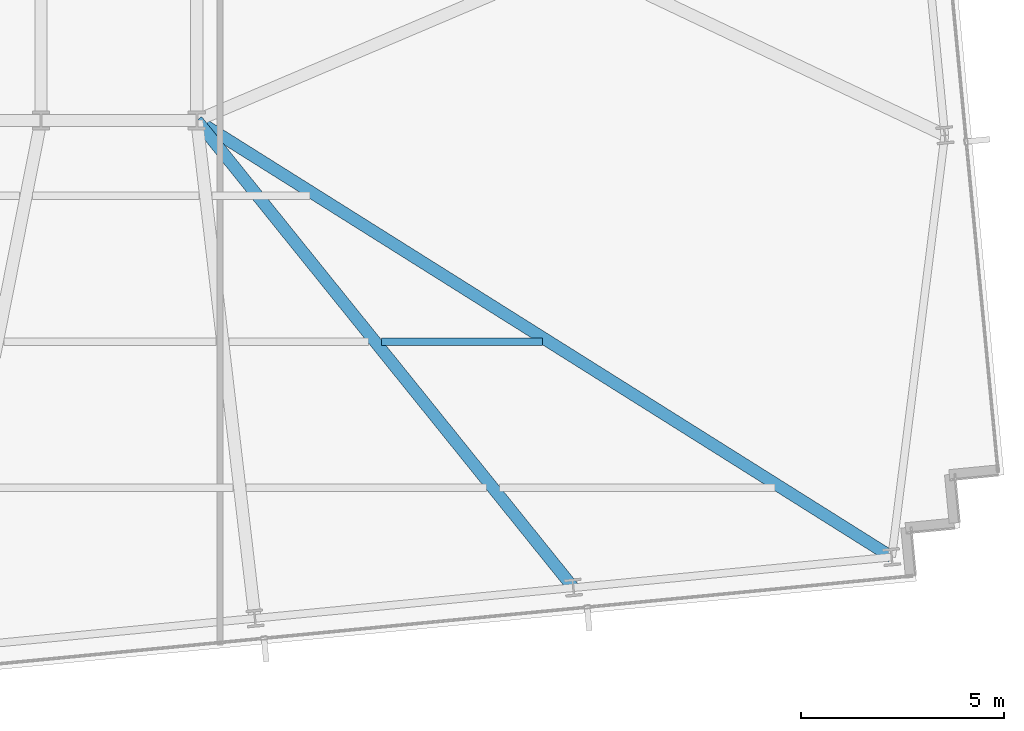
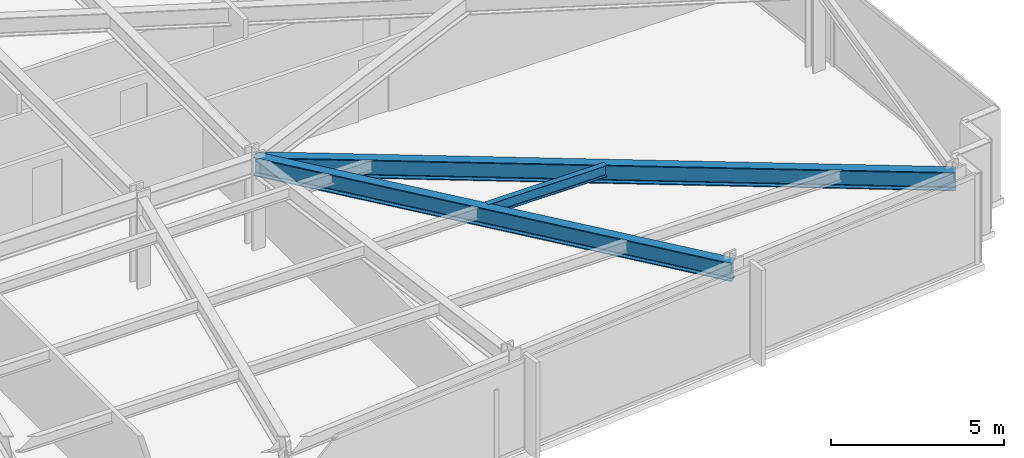
# One storey, part 13 of 32: 3 beams.
"""IFC4 building model written with IfcOpenShell, lengths in metres."""

import ifcopenshell
import ifcopenshell.guid

model = None  # the IFC model being written
_history = None  # IfcOwnerHistory: only IFC2X3 demands one
_inside = {}  # id of a spatial element -> (the spatial element, [elements in it])
_under = {}  # id of a project, library or spatial element -> (it, [spatial elements below it])
_declared = {}  # id of a project -> (the project, [libraries it declares])
_typed = {}  # id of a type object -> (the type object, [elements of that type])
_made_of = {}  # id of a material, layer set ... -> (it, [elements and type objects made of it])


def new_model(schema):
    """Start an empty IFC model of exactly this schema.

    Asked for "IFC4X3", IfcOpenShell would pick the latest addendum, in which some entities
    have other attributes; the version numbers below select the first issue.
    IFC2X3 requires an IfcOwnerHistory on every rooted entity: one is made here for all.
    """
    global model, _history
    if schema == "IFC4X3":
        model = ifcopenshell.file(schema_version=(4, 3, 0, 0))
    else:
        model = ifcopenshell.file(schema=schema)
    _inside.clear()
    _under.clear()
    _declared.clear()
    _typed.clear()
    _made_of.clear()
    _history = None
    if model.schema == "IFC2X3":
        org = make("IfcOrganization", Name="unknown")
        user = make(
            "IfcPersonAndOrganization",
            ThePerson=make("IfcPerson", FamilyName="unknown"),
            TheOrganization=org,
        )
        app = make(
            "IfcApplication",
            ApplicationDeveloper=org,
            Version="unknown",
            ApplicationFullName="unknown",
            ApplicationIdentifier="unknown",
        )
        _history = make(
            "IfcOwnerHistory",
            OwningUser=user,
            OwningApplication=app,
            ChangeAction="ADDED",
            CreationDate=0,
        )
    return model


def make(cls, **values):
    """One entity of the class cls with the attributes given. An attribute that is None is left unset."""
    return model.create_entity(
        cls, **{name: value for name, value in values.items() if value is not None}
    )


def rooted(cls, **values):
    """An entity with a GlobalId (a new one), such as an element, a storey or a relation."""
    return make(cls, GlobalId=ifcopenshell.guid.new(), OwnerHistory=_history, **values)


def si_unit(unit_type, name, prefix=None):
    """IfcSIUnit, for example si_unit("LENGTHUNIT", "METRE", prefix="MILLI")."""
    return make("IfcSIUnit", UnitType=unit_type, Prefix=prefix, Name=name)


def assignment(units):
    """IfcUnitAssignment: the units of a project."""
    return None if units is None else make("IfcUnitAssignment", Units=units)


def point(xyz):
    """IfcCartesianPoint."""
    return None if xyz is None else make("IfcCartesianPoint", Coordinates=xyz)


def direction(xyz):
    """IfcDirection."""
    return None if xyz is None else make("IfcDirection", DirectionRatios=xyz)


def frame(location, z_axis=None, x_axis=None):
    """IfcAxis2Placement3D, a coordinate frame: its origin and axes. An axis left out is left unset."""
    return make(
        "IfcAxis2Placement3D",
        Location=point(location),
        Axis=direction(z_axis),
        RefDirection=direction(x_axis),
    )


def frame_2d(location, x_axis=None):
    """IfcAxis2Placement2D, a coordinate frame in the plane: its origin and x axis."""
    return make(
        "IfcAxis2Placement2D", Location=point(location), RefDirection=direction(x_axis)
    )


def origin():
    """The frame at (0, 0, 0) with its axes left unset."""
    return frame((0.0, 0.0, 0.0))


def origin_2d():
    """The frame at (0, 0) in the plane with its x axis left unset."""
    return frame_2d((0.0, 0.0))


def place(relative_to, where):
    """IfcLocalPlacement: puts the frame where relative to a parent placement (None: the world)."""
    return make(
        "IfcLocalPlacement", PlacementRelTo=relative_to, RelativePlacement=where
    )


def context(
    kind, dimensions, precision=None, world=None, true_north=None, identifier=None
):
    """IfcGeometricRepresentationContext, for example the 3D "Model" context."""
    return make(
        "IfcGeometricRepresentationContext",
        ContextIdentifier=identifier,
        ContextType=kind,
        CoordinateSpaceDimension=dimensions,
        Precision=precision,
        WorldCoordinateSystem=world,
        TrueNorth=true_north,
    )


def subcontext(parent, identifier, kind, view, scale=None):
    """IfcGeometricRepresentationSubContext, for example "Body" below "Model"."""
    return make(
        "IfcGeometricRepresentationSubContext",
        ContextIdentifier=identifier,
        ContextType=kind,
        ParentContext=parent,
        TargetScale=scale,
        TargetView=view,
    )


def project(units=None, contexts=None):
    """IfcProject with its units and contexts."""
    return rooted(
        "IfcProject",
        Name="project",
        RepresentationContexts=contexts,
        UnitsInContext=assignment(units),
    )


def spatial(cls, under=None, at=None, **own):
    """A site, building, storey or space (cls), placed at a placement, below another one or the project."""
    s = rooted(cls, ObjectPlacement=at, **own)
    if under is not None:
        _under.setdefault(under.id(), (under, []))[1].append(s)
    return s


def profile(cls, at=None, kind="AREA", **sizes):
    """A parametric profile (cls). Its sizes go by their IFC names, for example OverallWidth=200.0."""
    return make(cls, ProfileType=kind, Position=at, **sizes)


def i_section(**sizes):
    """IfcIShapeProfileDef."""
    return profile("IfcIShapeProfileDef", **sizes)


def extrude(swept, where, along, depth):
    """IfcExtrudedAreaSolid: the profile swept, set in the frame where, extruded along a direction by depth."""
    return make(
        "IfcExtrudedAreaSolid",
        SweptArea=swept,
        Position=where,
        ExtrudedDirection=direction(along),
        Depth=depth,
    )


def shape(context_of_items, identifier, shape_type, items):
    """IfcShapeRepresentation: the items that make up one representation, for example the "Body"."""
    return make(
        "IfcShapeRepresentation",
        ContextOfItems=context_of_items,
        RepresentationIdentifier=identifier,
        RepresentationType=shape_type,
        Items=items,
    )


def material(Name=None, Category=None):
    """IfcMaterial."""
    return make("IfcMaterial", Name=Name, Category=Category)


def material_profile(
    of_material, cross_section, Name=None, Category=None, Priority=None
):
    """IfcMaterialProfile: a cross section and its material."""
    return make(
        "IfcMaterialProfile",
        Name=Name,
        Material=of_material,
        Profile=cross_section,
        Priority=Priority,
        Category=Category,
    )


def profile_set(profiles, Name=None, composite=None):
    """IfcMaterialProfileSet."""
    return make(
        "IfcMaterialProfileSet",
        Name=Name,
        MaterialProfiles=profiles,
        CompositeProfile=composite,
    )


def made_of(thing, what):
    """Note that an element or type object is made of a material, layer set ...; save() writes the relation."""
    if what is not None:
        _made_of.setdefault(what.id(), (what, []))[1].append(thing)
    return thing


def type_object(cls, material=None, **own):
    """A type object (cls), such as IfcWallType, which elements share."""
    return made_of(rooted(cls, **own), material)


def element(
    cls,
    number,
    at=None,
    inside=None,
    cuts=None,
    type_object=None,
    material=None,
    context=None,
    identifier="Body",
    shape_type=None,
    held_by="IfcProductDefinitionShape",
    body=None,
    shapes=None,
    **own,
):
    """One element of the class cls, such as IfcWall. Its Tag is "e" and its number.

    at: its placement. inside: the storey or other place that contains it. cuts: it is an
    opening in that element (IfcRelVoidsElement). A single representation is given by context,
    identifier, shape_type and body (its items); several are given by shapes. held_by: the class
    of the entity that holds the representations. save() writes the other relations.
    """
    e = rooted(cls, Tag="e%d" % number, ObjectPlacement=at, **own)
    if body is not None:
        shapes = [shape(context, identifier, shape_type, body)]
    if shapes is not None:
        e.Representation = make(held_by, Representations=shapes)
    if inside is not None:
        _inside.setdefault(inside.id(), (inside, []))[1].append(e)
    if cuts is not None:
        rooted(
            "IfcRelVoidsElement", RelatingBuildingElement=cuts, RelatedOpeningElement=e
        )
    if type_object is not None:
        _typed.setdefault(type_object.id(), (type_object, []))[1].append(e)
    return made_of(e, material)


def aggregate(whole, parts):
    """IfcRelAggregates: a whole, such as a stair, and the parts it consists of."""
    return rooted("IfcRelAggregates", RelatingObject=whole, RelatedObjects=parts)


def save(model, path):
    """Write the relations noted so far, then the file.

    IfcRelAggregates (storeys below a building ...), IfcRelContainedInSpatialStructure (elements
    in a storey), IfcRelDefinesByType, IfcRelAssociatesMaterial and IfcRelDeclares: one each for
    every whole, place, type object, material and project.
    """
    for whole, parts in _under.values():
        aggregate(whole, parts)
    for where, things in _inside.values():
        rooted(
            "IfcRelContainedInSpatialStructure",
            RelatedElements=things,
            RelatingStructure=where,
        )
    for kind, things in _typed.values():
        rooted("IfcRelDefinesByType", RelatedObjects=things, RelatingType=kind)
    for what, things in _made_of.values():
        rooted("IfcRelAssociatesMaterial", RelatedObjects=things, RelatingMaterial=what)
    for by, libraries in _declared.values():
        rooted("IfcRelDeclares", RelatingContext=by, RelatedDefinitions=libraries)
    model.write(path)


model = new_model("IFC4")

# Units and contexts
model_context = context("Model", 3, precision=1e-05, world=origin(), true_north=direction((0.0, 1.0)))
body_context = subcontext(model_context, "Body", "Model", "MODEL_VIEW")
ifc_project = project(units=[si_unit("LENGTHUNIT", "METRE"), si_unit("AREAUNIT", "SQUARE_METRE"), si_unit("VOLUMEUNIT", "CUBIC_METRE"), si_unit("PLANEANGLEUNIT", "RADIAN"), si_unit("MASSUNIT", "GRAM", prefix="KILO")], contexts=[model_context])

# Site, building, storey
site_placement = place(None, origin())
site = spatial("IfcSite", under=ifc_project, at=site_placement, CompositionType="ELEMENT")
building_placement = place(site_placement, origin())
building = spatial("IfcBuilding", under=site, at=building_placement, Name="Yelkora Congress Tower", CompositionType="ELEMENT")
storey_placement = place(building_placement, frame((0.0, 0.0, 116.89990234375)))
storey = spatial("IfcBuildingStorey", under=building, at=storey_placement, Name="L31", CompositionType="ELEMENT", Elevation=116.89990234375)

# Beams
ifc_material = material(Name="Steel S355J2", Category="steel")
ifc_material_profile_1 = material_profile(ifc_material, i_section(OverallWidth=0.300048828125, OverallDepth=0.64990234375, WebThickness=0.01611328125, FlangeThickness=0.031005859375, FilletRadius=0.027099609375, at=origin_2d()), Name="HEB 650")
ifc_profile_set_1 = profile_set([ifc_material_profile_1], Name="Steel S355J2")
beam_type_1 = type_object("IfcBeamType", Name="BM-GIRD-HEB650", PredefinedType="BEAM", material=ifc_profile_set_1)
beam_1_placement = place(storey_placement, frame((66.882568359375, 13.67919921875, 2.85498046875), z_axis=(-0.627405981031, 0.778692323686, 0.0), x_axis=(-0.778692323686, -0.627405981031, 0.0)))
element("IfcBeam", 1, at=beam_1_placement, inside=storey, type_object=beam_type_1, Name="L31 Primary Frame Girder S07", PredefinedType="BEAM", context=body_context, shape_type="SweptSolid", body=[
    extrude(i_section(OverallWidth=0.300048828125, OverallDepth=0.64990234375, WebThickness=0.01611328125, FlangeThickness=0.031005859375, FilletRadius=0.027099609375, at=origin_2d()), origin(), (0.0, 0.0, 1.0), 14.794921875),
])
beam_2_placement = place(storey_placement, frame((74.73193359375, 14.43505859375, 2.85498046875), z_axis=(-0.846718708798, 0.532040814385, 0.0), x_axis=(-0.532040814385, -0.846718708798, 0.0)))
element("IfcBeam", 2, at=beam_2_placement, inside=storey, type_object=beam_type_1, Name="L31 Primary Frame Girder S08", PredefinedType="BEAM", context=body_context, shape_type="SweptSolid", body=[
    extrude(i_section(OverallWidth=0.300048828125, OverallDepth=0.64990234375, WebThickness=0.01611328125, FlangeThickness=0.031005859375, FilletRadius=0.027099609375, at=origin_2d()), origin(), (0.0, 0.0, 1.0), 20.233154296875),
])
ifc_material_profile_2 = material_profile(ifc_material, i_section(OverallWidth=0.179931640625, OverallDepth=0.39990234375, WebThickness=0.008544921875, FlangeThickness=0.013427734375, FilletRadius=0.02099609375, at=origin_2d()), Name="IPE 400")
ifc_profile_set_2 = profile_set([ifc_material_profile_2], Name="Steel S355J2")
beam_type_2 = type_object("IfcBeamType", Name="BM-JOIST-IPE400", PredefinedType="JOIST", material=ifc_profile_set_2)
beam_3_placement = place(storey_placement, frame((62.15576171875, 19.744384765625, 2.97998046875), z_axis=(1.0, 0.0, 0.0), x_axis=(0.0, 1.0, 0.0)))
element("IfcBeam", 3, at=beam_3_placement, inside=storey, type_object=beam_type_2, Name="L31 Composite Floor Joist 17", PredefinedType="JOIST", context=body_context, shape_type="SweptSolid", body=[
    extrude(i_section(OverallWidth=0.179931640625, OverallDepth=0.39990234375, WebThickness=0.008544921875, FlangeThickness=0.013427734375, FilletRadius=0.02099609375, at=origin_2d()), origin(), (0.0, 0.0, 1.0), 3.966552734375),
])

save(model, "model.ifc")
